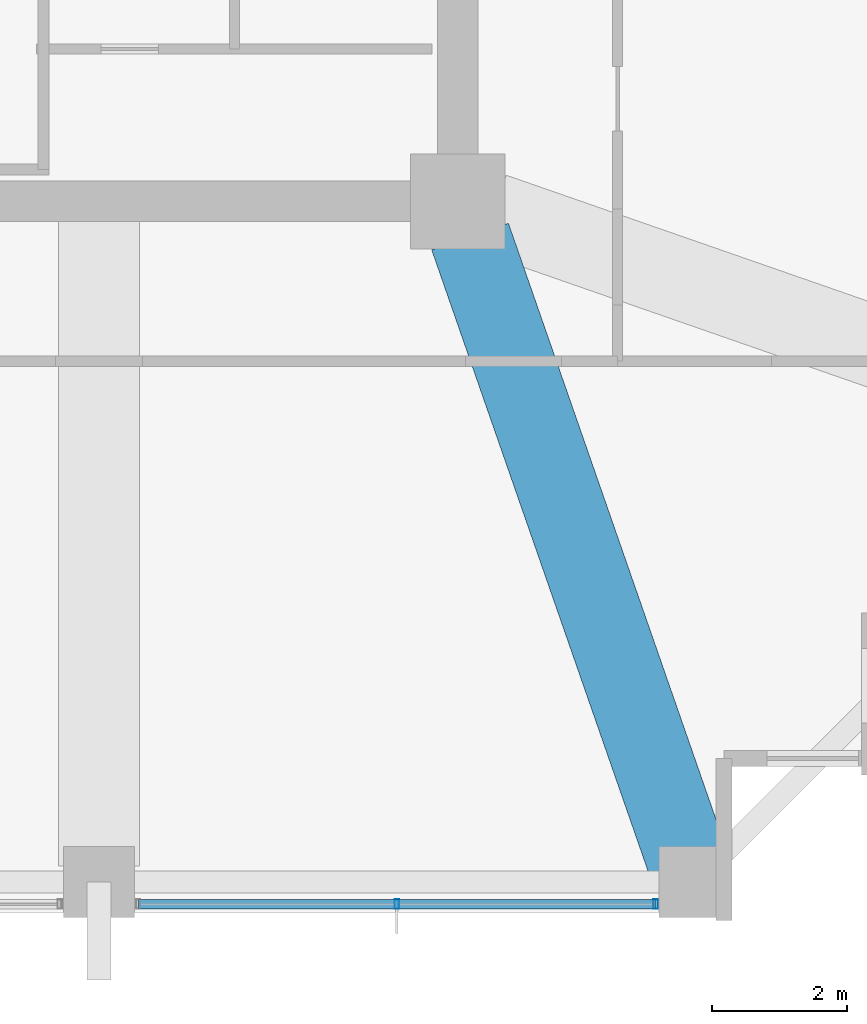
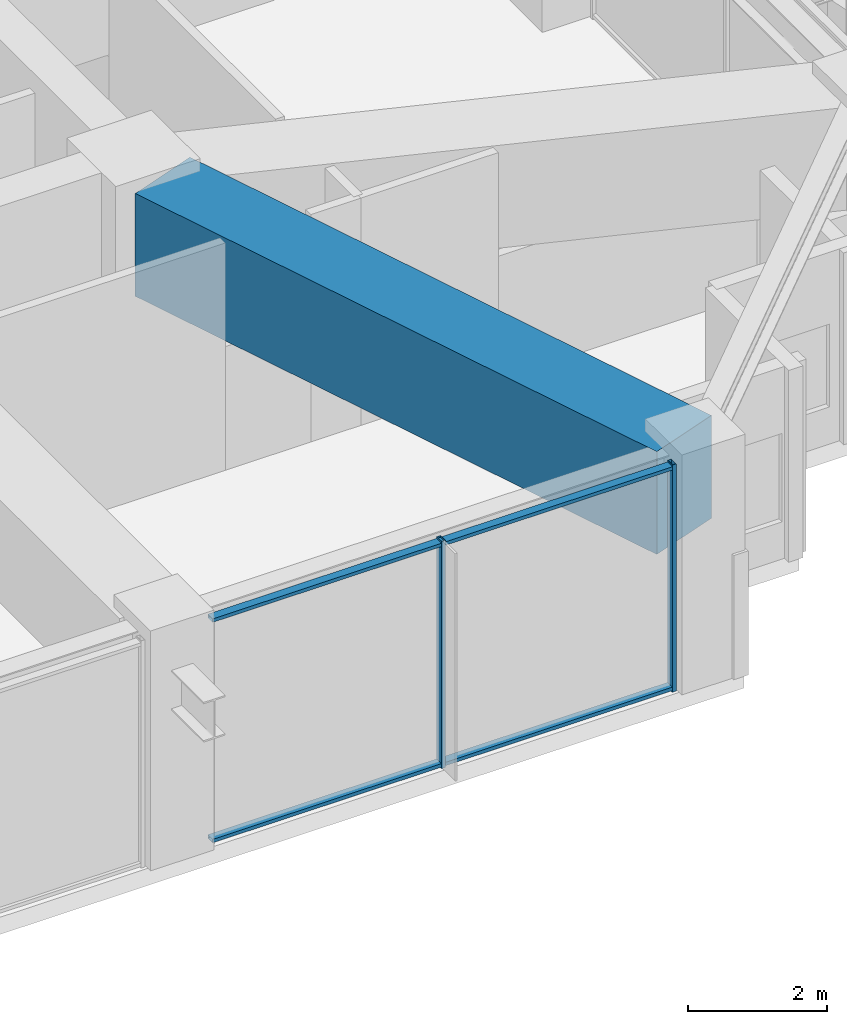
# One storey, part 13 of 40: 4 members, 1 beam, 1 element without a shape of its own.
"""IFC4 building model written with IfcOpenShell, lengths in metres."""

from ifc_helpers import new_model, si_unit, direction, frame, origin, origin_2d, place, context, subcontext, project, spatial, rectangle, hollow_rectangle, extrude, material, material_profile, profile_set, type_object, element, aggregate, save


model = new_model("IFC4")

# Units and contexts
model_context = context("Model", 3, precision=1e-05, world=origin(), true_north=direction((0.0, 1.0)))
body_context = subcontext(model_context, "Body", "Model", "MODEL_VIEW")
ifc_project = project(units=[si_unit("LENGTHUNIT", "METRE"), si_unit("AREAUNIT", "SQUARE_METRE"), si_unit("VOLUMEUNIT", "CUBIC_METRE"), si_unit("PLANEANGLEUNIT", "RADIAN"), si_unit("MASSUNIT", "GRAM", prefix="KILO")], contexts=[model_context])

# Site, building, storey
site_placement = place(None, origin())
site = spatial("IfcSite", under=ifc_project, at=site_placement, CompositionType="ELEMENT")
building_placement = place(site_placement, origin())
building = spatial("IfcBuilding", under=site, at=building_placement, Name="Kolvaren Belvedere", CompositionType="ELEMENT")
storey_placement = place(building_placement, frame((0.0, 0.0, 68.0)))
storey = spatial("IfcBuildingStorey", under=building, at=storey_placement, Name="L19", CompositionType="ELEMENT", Elevation=68.0)

# Beam
ifc_material_1 = material(Name="Concrete C50/60", Category="concrete")
ifc_material_profile_1 = material_profile(ifc_material_1, rectangle(XDim=1.199951171875, YDim=1.800048828125, at=origin_2d()), Name="RC 1200X1800")
ifc_profile_set_1 = profile_set([ifc_material_profile_1], Name="Concrete C50/60")
beam_type = type_object("IfcBeamType", Name="BM-TG-1800", PredefinedType="BEAM", material=ifc_profile_set_1)
beam_placement = place(storey_placement, frame((10.080810546875, -10.41943359375, 3.080078125), z_axis=(0.328880894453, -0.944371408538, 0.0), x_axis=(0.944371408538, 0.328880894453, 0.0)))
element("IfcBeam", 1, at=beam_placement, inside=storey, type_object=beam_type, Name="L19 Corner Core-to-Perimeter Girder CC2-S4", PredefinedType="BEAM", context=body_context, shape_type="SweptSolid", body=[
    extrude(rectangle(XDim=1.199951171875, YDim=1.800048828125, at=origin_2d()), origin(), (0.0, 0.0, 1.0), 9.882080078125),
])

# Curtain wall, members
ifc_material_2 = material(Name="Anodised pale-metal aluminium AA 6063-T6", Category="aluminium")
curtain_wall_type = type_object("IfcCurtainWallType", Name="CW-Z2-MID", PredefinedType="NOTDEFINED", material=ifc_material_2)
curtain_wall_placement = place(storey_placement, origin())
curtain_wall = element("IfcCurtainWall", 2, at=curtain_wall_placement, inside=storey, type_object=curtain_wall_type, Name="L19 Unitised Curtain Wall FCW-L19-S-B1", PredefinedType="NOTDEFINED")
ifc_material_3 = material(Name="Anodised pale-metal aluminium AA 6063-T6", Category="aluminium")
ifc_material_profile_2 = material_profile(ifc_material_3, hollow_rectangle(XDim=0.06494140625, YDim=0.139892578125, WallThickness=0.00390625, at=origin_2d()), Name="ALU-MUL-140X65")
ifc_profile_set_2 = profile_set([ifc_material_profile_2], Name="Anodised pale-metal aluminium AA 6063-T6")
member_type_1 = type_object("IfcMemberType", Name="CW-MUL-140", PredefinedType="MULLION", material=ifc_profile_set_2)
member_1_placement = place(storey_placement, frame((12.822509765625, -20.280029296875, 0.0), z_axis=(0.0, 0.0, 1.0), x_axis=(1.0, 0.0, 0.0)))
member_1 = element("IfcMember", 3, at=member_1_placement, type_object=member_type_1, Name="FCW-L19-S-B1 Unitised Mullion 1", PredefinedType="MULLION", context=body_context, shape_type="SweptSolid", body=[
    extrude(hollow_rectangle(XDim=0.06494140625, YDim=0.139892578125, WallThickness=0.00390625, at=origin_2d()), origin(), (0.0, 0.0, 1.0), 3.97998046875),
])
member_2_placement = place(storey_placement, frame((9.0, -20.280029296875, 0.0), z_axis=(0.0, 0.0, 1.0), x_axis=(1.0, 0.0, 0.0)))
member_2 = element("IfcMember", 4, at=member_2_placement, type_object=member_type_1, Name="FCW-L19-S-B1 Unitised Mullion 2", PredefinedType="MULLION", context=body_context, shape_type="SweptSolid", body=[
    extrude(hollow_rectangle(XDim=0.06494140625, YDim=0.139892578125, WallThickness=0.00390625, at=origin_2d()), origin(), (0.0, 0.0, 1.0), 3.97998046875),
])
ifc_material_4 = material(Name="Anodised pale-metal aluminium AA 6063-T6", Category="aluminium")
ifc_material_profile_3 = material_profile(ifc_material_4, hollow_rectangle(XDim=0.06005859375, YDim=0.139892578125, WallThickness=0.00390625, at=origin_2d()), Name="ALU-TRN-140X60")
ifc_profile_set_3 = profile_set([ifc_material_profile_3], Name="Anodised pale-metal aluminium AA 6063-T6")
member_type_2 = type_object("IfcMemberType", Name="CW-TRN-140", PredefinedType="USERDEFINED", material=ifc_profile_set_3)
member_3_placement = place(storey_placement, frame((12.822509765625, -20.280029296875, 0.06005859375), z_axis=(-1.0, 0.0, 0.0), x_axis=(0.0, 0.0, 1.0)))
member_3 = element("IfcMember", 5, at=member_3_placement, type_object=member_type_2, Name="FCW-L19-S-B1 Sill Transom", ObjectType="TRANSOM", PredefinedType="USERDEFINED", context=body_context, shape_type="SweptSolid", body=[
    extrude(hollow_rectangle(XDim=0.06005859375, YDim=0.139892578125, WallThickness=0.00390625, at=origin_2d()), origin(), (0.0, 0.0, 1.0), 7.64501953125),
])
member_4_placement = place(storey_placement, frame((12.822509765625, -20.280029296875, 3.919921875), z_axis=(-1.0, 0.0, 0.0), x_axis=(0.0, 0.0, 1.0)))
member_4 = element("IfcMember", 6, at=member_4_placement, type_object=member_type_2, Name="FCW-L19-S-B1 Head Transom", ObjectType="TRANSOM", PredefinedType="USERDEFINED", context=body_context, shape_type="SweptSolid", body=[
    extrude(hollow_rectangle(XDim=0.06005859375, YDim=0.139892578125, WallThickness=0.00390625, at=origin_2d()), origin(), (0.0, 0.0, 1.0), 7.64501953125),
])
aggregate(curtain_wall, [member_1, member_2, member_3, member_4])

save(model, "model.ifc")
